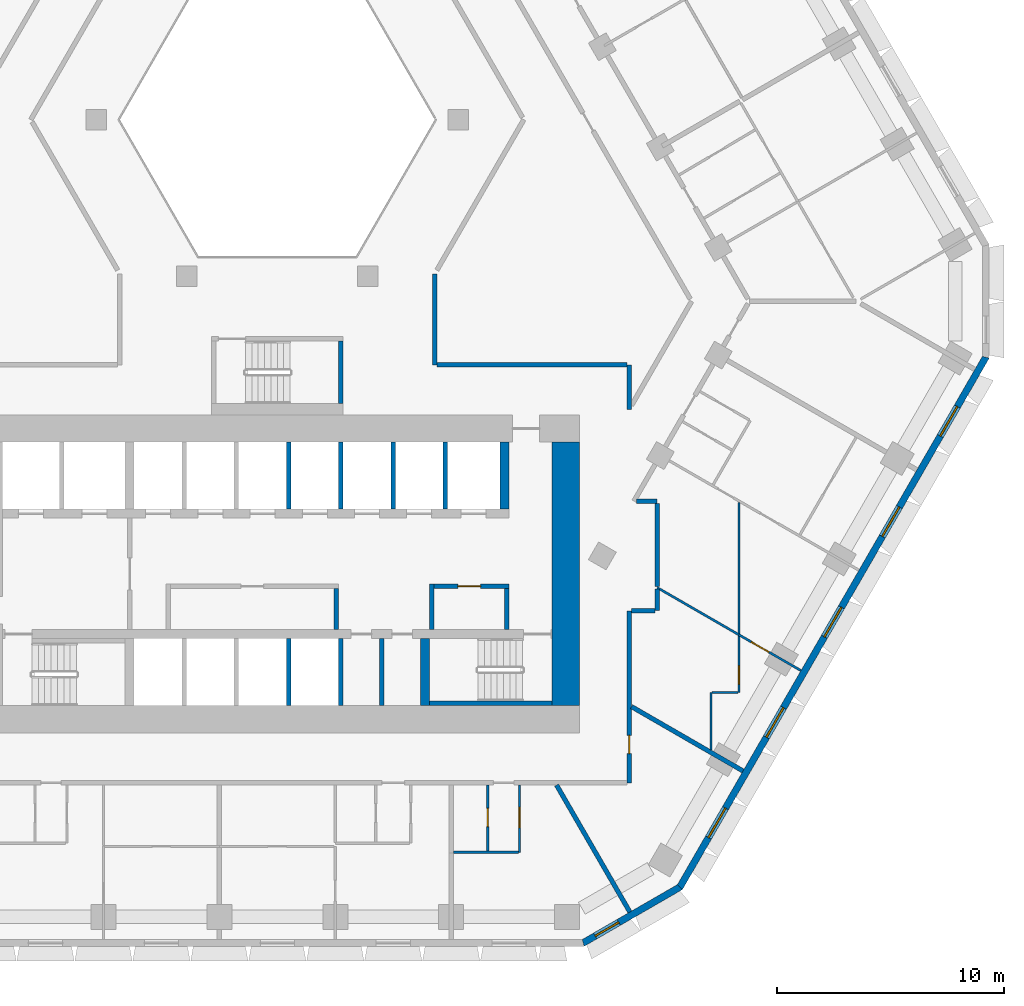
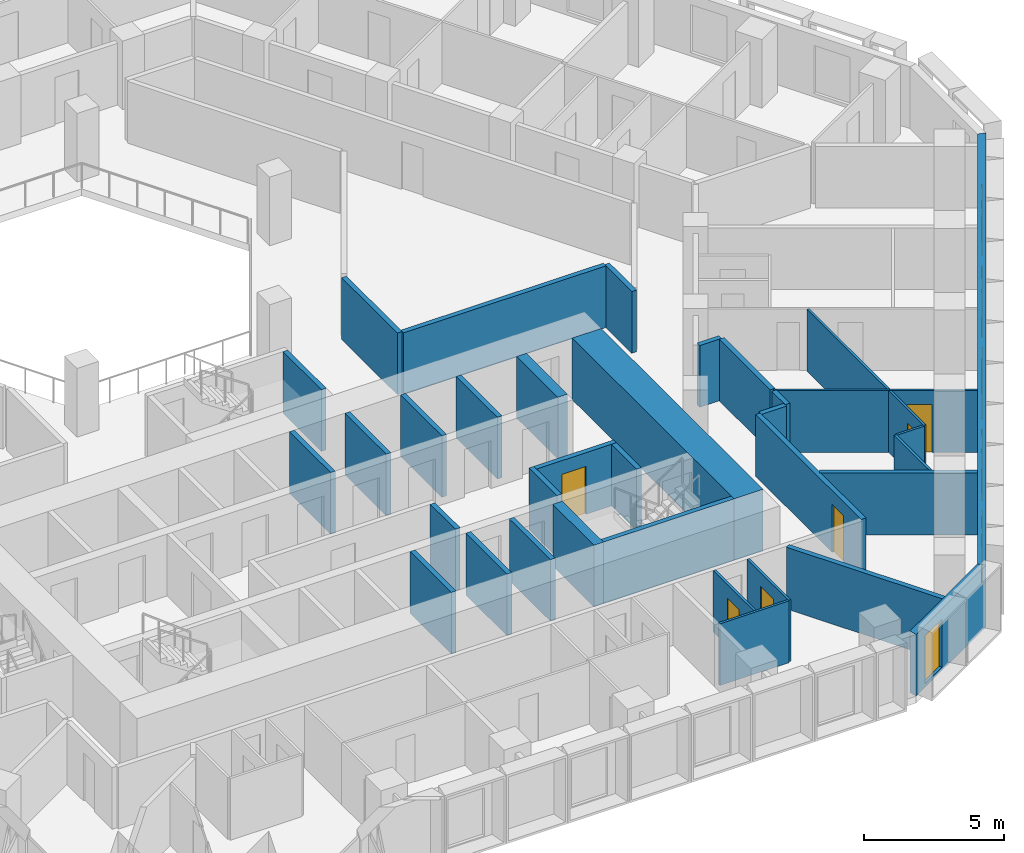
# One storey, part 6 of 16: 36 walls, 6 doors, 6 windows, 12 openings.
"""IFC4 building model written with IfcOpenShell, lengths in metres."""

from ifc_helpers import new_model, si_unit, direction, frame, frame_2d, origin, place, context, subcontext, project, spatial, polyline, rectangle, outline, extrude, material, layer, layer_set, type_object, element, fill, save


model = new_model("IFC4")

# Units and contexts
model_context = context("Model", 3, precision=1e-05, world=origin(), true_north=direction((0.0, 1.0)))
body_context = subcontext(model_context, "Body", "Model", "MODEL_VIEW")
ifc_project = project(units=[si_unit("LENGTHUNIT", "METRE"), si_unit("AREAUNIT", "SQUARE_METRE"), si_unit("VOLUMEUNIT", "CUBIC_METRE"), si_unit("PLANEANGLEUNIT", "RADIAN"), si_unit("MASSUNIT", "GRAM", prefix="KILO")], contexts=[model_context])

# Site, building, storey
site_placement = place(None, origin())
site = spatial("IfcSite", under=ifc_project, at=site_placement, CompositionType="ELEMENT")
building_placement = place(site_placement, origin())
building = spatial("IfcBuilding", under=site, at=building_placement, Name="Beryl Residences", CompositionType="ELEMENT")
storey_placement = place(building_placement, frame((0.0, 0.0, 50.39990234375)))
storey = spatial("IfcBuildingStorey", under=building, at=storey_placement, Name="L15", CompositionType="ELEMENT", Elevation=50.39990234375)

# Wall, opening, window
ifc_material_1 = material(Name="Composite metal panel with mineral wool insulation")
ifc_layer_1 = layer(ifc_material_1, 0.300048828125)
ifc_layer_set_1 = layer_set([ifc_layer_1], Name="ES1 pale metal composite panel wall 300 mm")
wall_type_1 = type_object("IfcWallType", Name="ES1 pale metal composite panel wall 300 mm", PredefinedType="SOLIDWALL", material=ifc_layer_set_1)
wall_1_placement = place(storey_placement, frame((13.43505859375, -28.27001953125, 0.0), z_axis=(0.0, 0.0, 1.0), x_axis=(0.866010750942, 0.50002537861, 0.0)))
wall_1 = element("IfcWall", 1, at=wall_1_placement, inside=storey, type_object=wall_type_1, Name="ES1 external wall L15 S-SE", PredefinedType="SOLIDWALL", context=body_context, shape_type="SweptSolid", body=[
    extrude(outline(polyline([(0.0, -0.14990234375), (4.999755859375, -0.14990234375), (4.91943359375, 0.14990234375), (0.080322265625, 0.14990234375), (0.0, -0.14990234375)])), origin(), (0.0, 0.0, 1.0), 2.7001953125),
])
opening_1_placement = place(wall_1_placement, frame((0.64990234375, 0.0, 0.14990234375)))
opening_1 = element("IfcOpeningElement", 2, at=opening_1_placement, cuts=wall_1, Name="Opening W2", PredefinedType="OPENING", context=body_context, shape_type="SweptSolid", body=[
    extrude(rectangle(XDim=1.199951171875, YDim=2.10009765625, at=frame_2d((0.60009765625, 1.050048828125))), frame((0.0, 0.159912109375, 0.0), z_axis=(0.0, -1.0, 0.0), x_axis=(1.0, 0.0, 0.0)), (0.0, 0.0, 1.0), 0.320068359375),
])
ifc_material_2 = material(Name="Aluminium and clear glass", Category="aluminium")
window_type_1 = type_object("IfcWindowType", Name="W2 chamfer window 1200 x 2100 mm", PartitioningType="SINGLE_PANEL", PredefinedType="WINDOW", material=ifc_material_2)
window_1_placement = place(opening_1_placement, origin())
window_1 = element("IfcWindow", 3, at=window_1_placement, inside=storey, type_object=window_type_1, Name="W2 window L15 S-SE 1", OverallHeight=2.10009765625, OverallWidth=1.199951171875, PartitioningType="SINGLE_PANEL", PredefinedType="WINDOW", context=body_context, shape_type="SweptSolid", body=[
    extrude(rectangle(XDim=1.199951171875, YDim=2.10009765625, at=frame_2d((0.60009765625, 1.050048828125))), frame((0.0, 0.030029296875, 0.0), z_axis=(0.0, -1.0, 0.0), x_axis=(1.0, 0.0, 0.0)), (0.0, 0.0, 1.0), 0.06005859375),
])
fill(opening_1, window_1)

# Wall, openings, windows
wall_2_placement = place(storey_placement, frame((17.7099609375, -25.824951171875, 0.0), z_axis=(0.0, 0.0, 1.0), x_axis=(0.500001938803, 0.866024284413, 0.0)))
wall_2 = element("IfcWall", 4, at=wall_2_placement, inside=storey, type_object=wall_type_1, Name="ES1 external wall L15 SE", PredefinedType="SOLIDWALL", context=body_context, shape_type="SweptSolid", body=[
    extrude(outline(polyline([(0.0, -0.14990234375), (27.02001953125, -0.14990234375), (26.939697265625, 0.14990234375), (0.080322265625, 0.14990234375), (0.0, -0.14990234375)])), origin(), (0.0, 0.0, 1.0), 2.7001953125),
])
opening_2_placement = place(wall_2_placement, frame((2.552978515625, 0.0, 0.14990234375)))
opening_2 = element("IfcOpeningElement", 5, at=opening_2_placement, cuts=wall_2, Name="Opening W1", PredefinedType="OPENING", context=body_context, shape_type="SweptSolid", body=[
    extrude(rectangle(XDim=1.5, YDim=2.10009765625, at=frame_2d((0.75, 1.050048828125))), frame((0.0, 0.159912109375, 0.0), z_axis=(0.0, -1.0, 0.0), x_axis=(1.0, 0.0, 0.0)), (0.0, 0.0, 1.0), 0.320068359375),
])
opening_3_placement = place(wall_2_placement, frame((7.657958984375, 0.0, 0.14990234375)))
opening_3 = element("IfcOpeningElement", 6, at=opening_3_placement, cuts=wall_2, Name="Opening W1", PredefinedType="OPENING", context=body_context, shape_type="SweptSolid", body=[
    extrude(rectangle(XDim=1.5, YDim=2.10009765625, at=frame_2d((0.75, 1.050048828125))), frame((0.0, 0.159912109375, 0.0), z_axis=(0.0, -1.0, 0.0), x_axis=(1.0, 0.0, 0.0)), (0.0, 0.0, 1.0), 0.320068359375),
])
opening_4_placement = place(wall_2_placement, frame((12.760986328125, 0.0, 0.14990234375)))
opening_4 = element("IfcOpeningElement", 7, at=opening_4_placement, cuts=wall_2, Name="Opening W1", PredefinedType="OPENING", context=body_context, shape_type="SweptSolid", body=[
    extrude(rectangle(XDim=1.5, YDim=2.10009765625, at=frame_2d((0.75, 1.050048828125))), frame((0.0, 0.159912109375, 0.0), z_axis=(0.0, -1.0, 0.0), x_axis=(1.0, 0.0, 0.0)), (0.0, 0.0, 1.0), 0.320068359375),
])
opening_5_placement = place(wall_2_placement, frame((17.864990234375, 0.0, 0.14990234375)))
opening_5 = element("IfcOpeningElement", 8, at=opening_5_placement, cuts=wall_2, Name="Opening W1", PredefinedType="OPENING", context=body_context, shape_type="SweptSolid", body=[
    extrude(rectangle(XDim=1.5, YDim=2.10009765625, at=frame_2d((0.75, 1.050048828125))), frame((0.0, 0.159912109375, 0.0), z_axis=(0.0, -1.0, 0.0), x_axis=(1.0, 0.0, 0.0)), (0.0, 0.0, 1.0), 0.320068359375),
])
opening_6_placement = place(wall_2_placement, frame((22.968994140625, 0.0, 0.14990234375)))
opening_6 = element("IfcOpeningElement", 9, at=opening_6_placement, cuts=wall_2, Name="Opening W1", PredefinedType="OPENING", context=body_context, shape_type="SweptSolid", body=[
    extrude(rectangle(XDim=1.5, YDim=2.10009765625, at=frame_2d((0.75, 1.050048828125))), frame((0.0, 0.159912109375, 0.0), z_axis=(0.0, -1.0, 0.0), x_axis=(1.0, 0.0, 0.0)), (0.0, 0.0, 1.0), 0.320068359375),
])
ifc_material_3 = material(Name="Aluminium and clear glass", Category="aluminium")
window_type_2 = type_object("IfcWindowType", Name="W1 cell window 1500 x 2100 mm", PartitioningType="SINGLE_PANEL", PredefinedType="WINDOW", material=ifc_material_3)
window_2_placement = place(opening_2_placement, origin())
window_2 = element("IfcWindow", 10, at=window_2_placement, inside=storey, type_object=window_type_2, Name="W1 window L15 SE 2", OverallHeight=2.10009765625, OverallWidth=1.5, PartitioningType="SINGLE_PANEL", PredefinedType="WINDOW", context=body_context, shape_type="SweptSolid", body=[
    extrude(rectangle(XDim=1.5, YDim=2.10009765625, at=frame_2d((0.75, 1.050048828125))), frame((0.0, 0.030029296875, 0.0), z_axis=(0.0, -1.0, 0.0), x_axis=(1.0, 0.0, 0.0)), (0.0, 0.0, 1.0), 0.06005859375),
])
fill(opening_2, window_2)
window_3_placement = place(opening_3_placement, origin())
window_3 = element("IfcWindow", 11, at=window_3_placement, inside=storey, type_object=window_type_2, Name="W1 window L15 SE 4", OverallHeight=2.10009765625, OverallWidth=1.5, PartitioningType="SINGLE_PANEL", PredefinedType="WINDOW", context=body_context, shape_type="SweptSolid", body=[
    extrude(rectangle(XDim=1.5, YDim=2.10009765625, at=frame_2d((0.75, 1.050048828125))), frame((0.0, 0.030029296875, 0.0), z_axis=(0.0, -1.0, 0.0), x_axis=(1.0, 0.0, 0.0)), (0.0, 0.0, 1.0), 0.06005859375),
])
fill(opening_3, window_3)
window_4_placement = place(opening_4_placement, origin())
window_4 = element("IfcWindow", 12, at=window_4_placement, inside=storey, type_object=window_type_2, Name="W1 window L15 SE 6", OverallHeight=2.10009765625, OverallWidth=1.5, PartitioningType="SINGLE_PANEL", PredefinedType="WINDOW", context=body_context, shape_type="SweptSolid", body=[
    extrude(rectangle(XDim=1.5, YDim=2.10009765625, at=frame_2d((0.75, 1.050048828125))), frame((0.0, 0.030029296875, 0.0), z_axis=(0.0, -1.0, 0.0), x_axis=(1.0, 0.0, 0.0)), (0.0, 0.0, 1.0), 0.06005859375),
])
fill(opening_4, window_4)
window_5_placement = place(opening_5_placement, origin())
window_5 = element("IfcWindow", 13, at=window_5_placement, inside=storey, type_object=window_type_2, Name="W1 window L15 SE 8", OverallHeight=2.10009765625, OverallWidth=1.5, PartitioningType="SINGLE_PANEL", PredefinedType="WINDOW", context=body_context, shape_type="SweptSolid", body=[
    extrude(rectangle(XDim=1.5, YDim=2.10009765625, at=frame_2d((0.75, 1.050048828125))), frame((0.0, 0.030029296875, 0.0), z_axis=(0.0, -1.0, 0.0), x_axis=(1.0, 0.0, 0.0)), (0.0, 0.0, 1.0), 0.06005859375),
])
fill(opening_5, window_5)
window_6_placement = place(opening_6_placement, origin())
window_6 = element("IfcWindow", 14, at=window_6_placement, inside=storey, type_object=window_type_2, Name="W1 window L15 SE 10", OverallHeight=2.10009765625, OverallWidth=1.5, PartitioningType="SINGLE_PANEL", PredefinedType="WINDOW", context=body_context, shape_type="SweptSolid", body=[
    extrude(rectangle(XDim=1.5, YDim=2.10009765625, at=frame_2d((0.75, 1.050048828125))), frame((0.0, 0.030029296875, 0.0), z_axis=(0.0, -1.0, 0.0), x_axis=(1.0, 0.0, 0.0)), (0.0, 0.0, 1.0), 0.06005859375),
])
fill(opening_6, window_6)

# Walls
ifc_material_4 = material(Name="Gypsum board partition on steel studs", Category="steel")
ifc_layer_2 = layer(ifc_material_4, 0.10009765625)
ifc_layer_set_2 = layer_set([ifc_layer_2], Name="PT1 partition 100 mm gypsum board on steel studs")
wall_type_2 = type_object("IfcWallType", Name="PT1 partition 100 mm gypsum board on steel studs", PredefinedType="PARTITIONING", material=ifc_layer_set_2)
wall_3_placement = place(storey_placement, frame((16.72802734375, -12.60302734375, 0.0), z_axis=(0.0, 0.0, 1.0), x_axis=(0.865975293465, -0.500086783578, 0.0)))
element("IfcWall", 15, at=wall_3_placement, inside=storey, type_object=wall_type_2, Name="Wall PT1 L15 016", PredefinedType="PARTITIONING", context=body_context, shape_type="SweptSolid", body=[
    extrude(rectangle(XDim=4.156982421875, YDim=0.10009765625, at=frame_2d((2.07861328125, 0.0))), origin(), (0.0, 0.0, 1.0), 2.7001953125),
])
wall_4_placement = place(storey_placement, frame((19.14990234375, -17.22412109375, 0.0), z_axis=(0.0, 0.0, 1.0), x_axis=(1.0, 0.0, 0.0)))
element("IfcWall", 16, at=wall_4_placement, inside=storey, type_object=wall_type_2, Name="Wall PT1 L15 027", PredefinedType="PARTITIONING", context=body_context, shape_type="SweptSolid", body=[
    extrude(rectangle(XDim=1.127197265625, YDim=0.10009765625, at=frame_2d((0.5634765625, 0.0))), origin(), (0.0, 0.0, 1.0), 2.7001953125),
])
wall_5_placement = place(storey_placement, frame((7.757080078125, -24.260009765625, 0.0), z_axis=(0.0, 0.0, 1.0), x_axis=(1.0, 0.0, 0.0)))
element("IfcWall", 17, at=wall_5_placement, inside=storey, type_object=wall_type_2, Name="Wall PT1 L15 031", PredefinedType="PARTITIONING", context=body_context, shape_type="SweptSolid", body=[
    extrude(rectangle(XDim=2.85791015625, YDim=0.10009765625, at=frame_2d((1.428955078125, 0.0))), origin(), (0.0, 0.0, 1.0), 2.7001953125),
])

# Wall, opening, door
wall_6_placement = place(storey_placement, frame((9.26611328125, -24.2099609375, 0.0), z_axis=(0.0, 0.0, 1.0), x_axis=(0.0, 1.0, 0.0)))
wall_6 = element("IfcWall", 18, at=wall_6_placement, inside=storey, type_object=wall_type_2, Name="Wall PT1 L15 044", PredefinedType="PARTITIONING", context=body_context, shape_type="SweptSolid", body=[
    extrude(rectangle(XDim=2.909912109375, YDim=0.10009765625, at=frame_2d((1.455078125, 0.0))), origin(), (0.0, 0.0, 1.0), 2.7001953125),
])
opening_7_placement = place(wall_6_placement, frame((1.080078125, 0.0, 0.0)))
opening_7 = element("IfcOpeningElement", 19, at=opening_7_placement, cuts=wall_6, Name="Opening D0534", PredefinedType="OPENING", context=body_context, shape_type="SweptSolid", body=[
    extrude(rectangle(XDim=0.800048828125, YDim=2.10009765625, at=frame_2d((0.39990234375, 1.050048828125))), frame((0.0, 0.06005859375, 0.0), z_axis=(0.0, -1.0, 0.0), x_axis=(1.0, 0.0, 0.0)), (0.0, 0.0, 1.0), 0.1201171875),
])
ifc_material_5 = material(Name="Timber door leaf", Category="wood")
door_type_1 = type_object("IfcDoorType", Name="D3 bathroom door 800 x 2100 mm", OperationType="SINGLE_SWING_LEFT", PredefinedType="DOOR", material=ifc_material_5)
door_1_placement = place(opening_7_placement, origin())
door_1 = element("IfcDoor", 20, at=door_1_placement, inside=storey, type_object=door_type_1, Name="Door D0534 L15 001", OperationType="SINGLE_SWING_RIGHT", OverallHeight=2.10009765625, OverallWidth=0.800048828125, PredefinedType="DOOR", context=body_context, shape_type="SweptSolid", body=[
    extrude(rectangle(XDim=0.800048828125, YDim=2.10009765625, at=frame_2d((0.39990234375, 1.050048828125))), frame((0.0, 0.02490234375, 0.0), z_axis=(0.0, -1.0, 0.0), x_axis=(1.0, 0.0, 0.0)), (0.0, 0.0, 1.0), 0.050048828125),
])
fill(opening_7, door_1)

wall_7_placement = place(storey_placement, frame((10.666015625, -24.259033203125, 0.0), z_axis=(0.0, 0.0, 1.0), x_axis=(0.0, 1.0, 0.0)))
wall_7 = element("IfcWall", 21, at=wall_7_placement, inside=storey, type_object=wall_type_2, Name="Wall PT1 L15 045", PredefinedType="PARTITIONING", context=body_context, shape_type="SweptSolid", body=[
    extrude(rectangle(XDim=2.958984375, YDim=0.10009765625, at=frame_2d((1.4794921875, 0.0))), origin(), (0.0, 0.0, 1.0), 2.7001953125),
])
opening_8_placement = place(wall_7_placement, frame((1.0791015625, 0.0, 0.0)))
opening_8 = element("IfcOpeningElement", 22, at=opening_8_placement, cuts=wall_7, Name="Opening D0533", PredefinedType="OPENING", context=body_context, shape_type="SweptSolid", body=[
    extrude(rectangle(XDim=0.89990234375, YDim=2.10009765625, at=frame_2d((0.449951171875, 1.050048828125))), frame((0.0, 0.06005859375, 0.0), z_axis=(0.0, -1.0, 0.0), x_axis=(1.0, 0.0, 0.0)), (0.0, 0.0, 1.0), 0.1201171875),
])
ifc_material_6 = material(Name="Timber door leaf", Category="wood")
door_type_2 = type_object("IfcDoorType", Name="D2 room door 900 x 2100 mm", OperationType="SINGLE_SWING_LEFT", PredefinedType="DOOR", material=ifc_material_6)
door_2_placement = place(opening_8_placement, origin())
door_2 = element("IfcDoor", 23, at=door_2_placement, inside=storey, type_object=door_type_2, Name="Door D0533 L15 001", OperationType="SINGLE_SWING_LEFT", OverallHeight=2.10009765625, OverallWidth=0.89990234375, PredefinedType="DOOR", context=body_context, shape_type="SweptSolid", body=[
    extrude(rectangle(XDim=0.89990234375, YDim=2.10009765625, at=frame_2d((0.449951171875, 1.050048828125))), frame((0.0, 0.02490234375, 0.0), z_axis=(0.0, -1.0, 0.0), x_axis=(1.0, 0.0, 0.0)), (0.0, 0.0, 1.0), 0.050048828125),
])
fill(opening_8, door_2)

# Wall
wall_8_placement = place(storey_placement, frame((19.10009765625, -19.7509765625, 0.0), z_axis=(0.0, 0.0, 1.0), x_axis=(0.0, 1.0, 0.0)))
element("IfcWall", 24, at=wall_8_placement, inside=storey, type_object=wall_type_2, Name="Wall PT1 L15 046", PredefinedType="PARTITIONING", context=body_context, shape_type="SweptSolid", body=[
    extrude(rectangle(XDim=2.52685546875, YDim=0.10009765625, at=frame_2d((1.263427734375, 0.0))), origin(), (0.0, 0.0, 1.0), 2.7001953125),
])

# Wall, opening, door
wall_9_placement = place(storey_placement, frame((20.327880859375, -17.222900390625, 0.0), z_axis=(0.0, 0.0, 1.0), x_axis=(0.0, 1.0, 0.0)))
wall_9 = element("IfcWall", 25, at=wall_9_placement, inside=storey, type_object=wall_type_2, Name="Wall PT1 L15 047", PredefinedType="PARTITIONING", context=body_context, shape_type="SweptSolid", body=[
    extrude(rectangle(XDim=8.3759765625, YDim=0.10009765625, at=frame_2d((4.18798828125, 0.0))), origin(), (0.0, 0.0, 1.0), 2.7001953125),
])
opening_9_placement = place(wall_9_placement, frame((0.3701171875, 0.0, 0.0)))
opening_9 = element("IfcOpeningElement", 26, at=opening_9_placement, cuts=wall_9, Name="Opening D0543", PredefinedType="OPENING", context=body_context, shape_type="SweptSolid", body=[
    extrude(rectangle(XDim=0.800048828125, YDim=2.10009765625, at=frame_2d((0.39990234375, 1.050048828125))), frame((0.0, 0.06005859375, 0.0), z_axis=(0.0, -1.0, 0.0), x_axis=(1.0, 0.0, 0.0)), (0.0, 0.0, 1.0), 0.1201171875),
])
door_3_placement = place(opening_9_placement, origin())
door_3 = element("IfcDoor", 27, at=door_3_placement, inside=storey, type_object=door_type_1, Name="Door D0543 L15 001", OperationType="SINGLE_SWING_LEFT", OverallHeight=2.10009765625, OverallWidth=0.800048828125, PredefinedType="DOOR", context=body_context, shape_type="SweptSolid", body=[
    extrude(rectangle(XDim=0.800048828125, YDim=2.10009765625, at=frame_2d((0.39990234375, 1.050048828125))), frame((0.0, 0.02490234375, 0.0), z_axis=(0.0, -1.0, 0.0), x_axis=(1.0, 0.0, 0.0)), (0.0, 0.0, 1.0), 0.050048828125),
])
fill(opening_9, door_3)

wall_10_placement = place(storey_placement, frame((20.327880859375, -14.681884765625, 0.0), z_axis=(0.0, 0.0, 1.0), x_axis=(0.866063163075, -0.499934593286, 0.0)))
wall_10 = element("IfcWall", 28, at=wall_10_placement, inside=storey, type_object=wall_type_2, Name="Wall PT1 L15 072", PredefinedType="PARTITIONING", context=body_context, shape_type="SweptSolid", body=[
    extrude(rectangle(XDim=3.15478515625, YDim=0.10009765625, at=frame_2d((1.577392578125, 0.0))), origin(), (0.0, 0.0, 1.0), 2.7001953125),
])
opening_10_placement = place(wall_10_placement, frame((0.626953125, 0.0, 0.0)))
opening_10 = element("IfcOpeningElement", 29, at=opening_10_placement, cuts=wall_10, Name="Opening D0542", PredefinedType="OPENING", context=body_context, shape_type="SweptSolid", body=[
    extrude(rectangle(XDim=0.89990234375, YDim=2.10009765625, at=frame_2d((0.449951171875, 1.050048828125))), frame((0.0, 0.06005859375, 0.0), z_axis=(0.0, -1.0, 0.0), x_axis=(1.0, 0.0, 0.0)), (0.0, 0.0, 1.0), 0.1201171875),
])
door_4_placement = place(opening_10_placement, origin())
door_4 = element("IfcDoor", 30, at=door_4_placement, inside=storey, type_object=door_type_2, Name="Door D0542 L15 001", OperationType="SINGLE_SWING_RIGHT", OverallHeight=2.10009765625, OverallWidth=0.89990234375, PredefinedType="DOOR", context=body_context, shape_type="SweptSolid", body=[
    extrude(rectangle(XDim=0.89990234375, YDim=2.10009765625, at=frame_2d((0.449951171875, 1.050048828125))), frame((0.0, 0.02490234375, 0.0), z_axis=(0.0, -1.0, 0.0), x_axis=(1.0, 0.0, 0.0)), (0.0, 0.0, 1.0), 0.050048828125),
])
fill(opening_10, door_4)

# Walls
ifc_material_7 = material(Name="Concrete masonry", Category="masonry")
ifc_layer_3 = layer(ifc_material_7, 0.199951171875)
ifc_layer_set_3 = layer_set([ifc_layer_3], Name="PT13 lobby wall 200 mm")
wall_type_3 = type_object("IfcWallType", Name="PT13 lobby wall 200 mm", PredefinedType="PARTITIONING", material=ifc_layer_set_3)
wall_11_placement = place(storey_placement, frame((2.60009765625, -14.449951171875, 0.0), z_axis=(0.0, 0.0, 1.0), x_axis=(0.0, 1.0, 0.0)))
element("IfcWall", 31, at=wall_11_placement, inside=storey, type_object=wall_type_3, Name="Lobby wall 15", PredefinedType="PARTITIONING", context=body_context, shape_type="SweptSolid", body=[
    extrude(rectangle(XDim=1.800048828125, YDim=0.199951171875, at=frame_2d((0.89990234375, 0.0))), origin(), (0.0, 0.0, 1.0), 2.7001953125),
])
wall_12_placement = place(storey_placement, frame((6.800048828125, -14.449951171875, 0.0), z_axis=(0.0, 0.0, 1.0), x_axis=(0.0, 1.0, 0.0)))
element("IfcWall", 32, at=wall_12_placement, inside=storey, type_object=wall_type_3, Name="Lobby wall 21", PredefinedType="PARTITIONING", context=body_context, shape_type="SweptSolid", body=[
    extrude(rectangle(XDim=2.0, YDim=0.199951171875, at=frame_2d((1.0, 0.0))), origin(), (0.0, 0.0, 1.0), 2.7001953125),
])

# Wall, opening, door
wall_13_placement = place(storey_placement, frame((6.89990234375, -12.550048828125, 0.0), z_axis=(0.0, 0.0, 1.0), x_axis=(1.0, 0.0, 0.0)))
wall_13 = element("IfcWall", 33, at=wall_13_placement, inside=storey, type_object=wall_type_3, Name="Lobby wall 22", PredefinedType="PARTITIONING", context=body_context, shape_type="SweptSolid", body=[
    extrude(rectangle(XDim=3.300048828125, YDim=0.199951171875, at=frame_2d((1.64990234375, 0.0))), origin(), (0.0, 0.0, 1.0), 2.7001953125),
])
opening_11_placement = place(wall_13_placement, frame((2.050048828125, 0.0, 0.0), z_axis=(0.0, 0.0, 1.0), x_axis=(-1.0, 0.0, 0.0)))
opening_11 = element("IfcOpeningElement", 34, at=opening_11_placement, cuts=wall_13, Name="Opening CD-D-A2", PredefinedType="OPENING", context=body_context, shape_type="SweptSolid", body=[
    extrude(rectangle(XDim=1.0, YDim=2.10009765625, at=frame_2d((0.5, 1.050048828125))), frame((0.0, 0.10986328125, 0.0), z_axis=(0.0, -1.0, 0.0), x_axis=(1.0, 0.0, 0.0)), (0.0, 0.0, 1.0), 0.219970703125),
])
ifc_material_8 = material(Name="Steel door leaf in steel frame", Category="steel")
door_type_3 = type_object("IfcDoorType", Name="D18 service room door 1000 x 2100 mm", OperationType="SINGLE_SWING_LEFT", PredefinedType="DOOR", material=ifc_material_8)
door_5_placement = place(opening_11_placement, origin())
door_5 = element("IfcDoor", 35, at=door_5_placement, inside=storey, type_object=door_type_3, Name="Door CD-D-A2 L15 001", OperationType="SINGLE_SWING_LEFT", OverallHeight=2.10009765625, OverallWidth=1.0, PredefinedType="DOOR", context=body_context, shape_type="SweptSolid", body=[
    extrude(rectangle(XDim=1.0, YDim=2.10009765625, at=frame_2d((0.5, 1.050048828125))), frame((0.0, 0.02490234375, 0.0), z_axis=(0.0, -1.0, 0.0), x_axis=(1.0, 0.0, 0.0)), (0.0, 0.0, 1.0), 0.050048828125),
])
fill(opening_11, door_5)

# Walls
wall_14_placement = place(storey_placement, frame((10.10009765625, -14.449951171875, 0.0), z_axis=(0.0, 0.0, 1.0), x_axis=(0.0, 1.0, 0.0)))
element("IfcWall", 36, at=wall_14_placement, inside=storey, type_object=wall_type_3, Name="Lobby wall 24", PredefinedType="PARTITIONING", context=body_context, shape_type="SweptSolid", body=[
    extrude(rectangle(XDim=1.800048828125, YDim=0.199951171875, at=frame_2d((0.89990234375, 0.0))), origin(), (0.0, 0.0, 1.0), 2.7001953125),
])
ifc_material_9 = material(Name="Acoustic double stud gypsum board wall")
ifc_layer_4 = layer(ifc_material_9, 0.199951171875)
ifc_layer_set_4 = layer_set([ifc_layer_4], Name="PT3 party wall 200 mm acoustic double stud")
wall_type_4 = type_object("IfcWallType", Name="PT3 party wall 200 mm acoustic double stud", PredefinedType="PARTITIONING", material=ifc_layer_set_4)
wall_15_placement = place(storey_placement, frame((12.297119140625, -21.300048828125, 0.0), z_axis=(0.0, 0.0, 1.0), x_axis=(0.500056399578, -0.865992839024, 0.0)))
element("IfcWall", 37, at=wall_15_placement, inside=storey, type_object=wall_type_4, Name="Wall PT3 L15 002", PredefinedType="PARTITIONING", context=body_context, shape_type="SweptSolid", body=[
    extrude(rectangle(XDim=6.454833984375, YDim=0.199951171875, at=frame_2d((3.2275390625, 0.0))), origin(), (0.0, 0.0, 1.0), 2.7001953125),
])
wall_16_placement = place(storey_placement, frame((15.60009765625, -17.845947265625, 0.0), z_axis=(0.0, 0.0, 1.0), x_axis=(0.866071523686, -0.499920109479, 0.0)))
element("IfcWall", 38, at=wall_16_placement, inside=storey, type_object=wall_type_4, Name="Wall PT3 L15 004", PredefinedType="PARTITIONING", context=body_context, shape_type="SweptSolid", body=[
    extrude(rectangle(XDim=5.6669921875, YDim=0.199951171875, at=frame_2d((2.83349609375, 0.0))), origin(), (0.0, 0.0, 1.0), 2.7001953125),
])
ifc_material_10 = material(Name="Double stud gypsum board wall")
ifc_layer_5 = layer(ifc_material_10, 0.199951171875)
ifc_layer_set_5 = layer_set([ifc_layer_5], Name="PT4 corridor wall 200 mm double stud")
wall_type_5 = type_object("IfcWallType", Name="PT4 corridor wall 200 mm double stud", PredefinedType="PARTITIONING", material=ifc_layer_set_5)
wall_17_placement = place(storey_placement, frame((16.72802734375, -8.89501953125, 0.0), z_axis=(0.0, 0.0, 1.0), x_axis=(0.0, -1.0, 0.0)))
element("IfcWall", 39, at=wall_17_placement, inside=storey, type_object=wall_type_5, Name="Wall PT4 L15 009", PredefinedType="PARTITIONING", context=body_context, shape_type="SweptSolid", body=[
    extrude(rectangle(XDim=3.64990234375, YDim=0.199951171875, at=frame_2d((1.824951171875, 0.0))), origin(), (0.0, 0.0, 1.0), 2.7001953125),
])
wall_18_placement = place(storey_placement, frame((15.822021484375, -8.7939453125, 0.0), z_axis=(0.0, 0.0, 1.0), x_axis=(1.0, 0.0, 0.0)))
element("IfcWall", 40, at=wall_18_placement, inside=storey, type_object=wall_type_5, Name="Wall PT4 L15 011", PredefinedType="PARTITIONING", context=body_context, shape_type="SweptSolid", body=[
    extrude(rectangle(XDim=0.905029296875, YDim=0.199951171875, at=frame_2d((0.45263671875, 0.0))), origin(), (0.0, 0.0, 1.0), 2.7001953125),
])
wall_19_placement = place(storey_placement, frame((15.60009765625, -13.6240234375, 0.0), z_axis=(0.0, 0.0, 1.0), x_axis=(1.0, 0.0, 0.0)))
element("IfcWall", 41, at=wall_19_placement, inside=storey, type_object=wall_type_5, Name="Wall PT4 L15 012", PredefinedType="PARTITIONING", context=body_context, shape_type="SweptSolid", body=[
    extrude(rectangle(XDim=1.02685546875, YDim=0.199951171875, at=frame_2d((0.513427734375, 0.0))), origin(), (0.0, 0.0, 1.0), 2.7001953125),
])
wall_20_placement = place(storey_placement, frame((7.028076171875, -2.800048828125, 0.0), z_axis=(0.0, 0.0, 1.0), x_axis=(1.0, 0.0, 0.0)))
element("IfcWall", 42, at=wall_20_placement, inside=storey, type_object=wall_type_5, Name="Wall PT4 L15 016", PredefinedType="PARTITIONING", context=body_context, shape_type="SweptSolid", body=[
    extrude(rectangle(XDim=8.371826171875, YDim=0.199951171875, at=frame_2d((4.18603515625, 0.0))), origin(), (0.0, 0.0, 1.0), 2.7001953125),
])
wall_21_placement = place(storey_placement, frame((6.927978515625, -2.800048828125, 0.0), z_axis=(0.0, 0.0, 1.0), x_axis=(0.0, 1.0, 0.0)))
element("IfcWall", 43, at=wall_21_placement, inside=storey, type_object=wall_type_5, Name="Wall PT4 L15 026", PredefinedType="PARTITIONING", context=body_context, shape_type="SweptSolid", body=[
    extrude(rectangle(XDim=4.0, YDim=0.199951171875, at=frame_2d((2.0, 0.0))), origin(), (0.0, 0.0, 1.0), 2.7001953125),
])

# Wall, opening, door
wall_22_placement = place(storey_placement, frame((15.5, -21.198974609375, 0.0), z_axis=(0.0, 0.0, 1.0), x_axis=(0.0, 1.0, 0.0)))
wall_22 = element("IfcWall", 44, at=wall_22_placement, inside=storey, type_object=wall_type_5, Name="Wall PT4 L15 027", PredefinedType="PARTITIONING", context=body_context, shape_type="SweptSolid", body=[
    extrude(rectangle(XDim=7.574951171875, YDim=0.199951171875, at=frame_2d((3.78759765625, 0.0))), origin(), (0.0, 0.0, 1.0), 2.7001953125),
])
opening_12_placement = place(wall_22_placement, frame((1.2880859375, 0.0, 0.0)))
opening_12 = element("IfcOpeningElement", 45, at=opening_12_placement, cuts=wall_22, Name="Opening D0535", PredefinedType="OPENING", context=body_context, shape_type="SweptSolid", body=[
    extrude(rectangle(XDim=0.800048828125, YDim=2.10009765625, at=frame_2d((0.39990234375, 1.050048828125))), frame((0.0, 0.10986328125, 0.0), z_axis=(0.0, -1.0, 0.0), x_axis=(1.0, 0.0, 0.0)), (0.0, 0.0, 1.0), 0.219970703125),
])
door_6_placement = place(opening_12_placement, origin())
door_6 = element("IfcDoor", 46, at=door_6_placement, inside=storey, type_object=door_type_1, Name="Door D0535 L15 001", OperationType="SINGLE_SWING_LEFT", OverallHeight=2.10009765625, OverallWidth=0.800048828125, PredefinedType="DOOR", context=body_context, shape_type="SweptSolid", body=[
    extrude(rectangle(XDim=0.800048828125, YDim=2.10009765625, at=frame_2d((0.39990234375, 1.050048828125))), frame((0.0, 0.02490234375, 0.0), z_axis=(0.0, -1.0, 0.0), x_axis=(1.0, 0.0, 0.0)), (0.0, 0.0, 1.0), 0.050048828125),
])
fill(opening_12, door_6)

# Walls
wall_23_placement = place(storey_placement, frame((15.5, -4.751953125, 0.0), z_axis=(0.0, 0.0, 1.0), x_axis=(0.0, 1.0, 0.0)))
element("IfcWall", 47, at=wall_23_placement, inside=storey, type_object=wall_type_5, Name="Wall PT4 L15 028", PredefinedType="PARTITIONING", context=body_context, shape_type="SweptSolid", body=[
    extrude(rectangle(XDim=1.951904296875, YDim=0.199951171875, at=frame_2d((0.97607421875, 0.0))), origin(), (0.0, 0.0, 1.0), 2.7001953125),
])
wall_24_placement = place(storey_placement, frame((16.72802734375, -13.623046875, 0.0), z_axis=(0.0, 0.0, 1.0), x_axis=(0.0, 1.0, 0.0)))
element("IfcWall", 48, at=wall_24_placement, inside=storey, type_object=wall_type_5, Name="Wall PT4 L15 029", PredefinedType="PARTITIONING", context=body_context, shape_type="SweptSolid", body=[
    extrude(rectangle(XDim=0.962158203125, YDim=0.199951171875, at=frame_2d((0.48095703125, 0.0))), origin(), (0.0, 0.0, 1.0), 2.7001953125),
])
ifc_material_11 = material(Name="Concrete C40/50", Category="concrete")
ifc_layer_6 = layer(ifc_material_11, 0.199951171875)
ifc_layer_set_6 = layer_set([ifc_layer_6], Name="PT5 stair enclosure wall 200 mm reinforced concrete C40/50")
wall_type_6 = type_object("IfcWallType", Name="PT5 stair enclosure wall 200 mm reinforced concrete C40/50", PredefinedType="SOLIDWALL", material=ifc_layer_set_6)
wall_25_placement = place(storey_placement, frame((2.800048828125, -4.5, 0.0), z_axis=(0.0, 0.0, 1.0), x_axis=(0.0, 1.0, 0.0)))
element("IfcWall", 49, at=wall_25_placement, inside=storey, type_object=wall_type_6, Name="Wall PT5 L15 003", PredefinedType="SOLIDWALL", context=body_context, shape_type="SweptSolid", body=[
    extrude(rectangle(XDim=2.75, YDim=0.199951171875, at=frame_2d((1.375, 0.0))), origin(), (0.0, 0.0, 1.0), 2.7001953125),
])
wall_26_placement = place(storey_placement, frame((6.699951171875, -17.699951171875, 0.0), z_axis=(0.0, 0.0, 1.0), x_axis=(1.0, 0.0, 0.0)))
element("IfcWall", 50, at=wall_26_placement, inside=storey, type_object=wall_type_6, Name="Stair wall 20", PredefinedType="SOLIDWALL", context=body_context, shape_type="SweptSolid", body=[
    extrude(rectangle(XDim=5.400146484375, YDim=0.199951171875, at=frame_2d((2.7001953125, 0.0))), origin(), (0.0, 0.0, 1.0), 2.7001953125),
])
ifc_material_12 = material(Name="Concrete C40/50", Category="concrete")
ifc_layer_7 = layer(ifc_material_12, 0.199951171875)
ifc_layer_set_7 = layer_set([ifc_layer_7], Name="PT6 lift shaft wall 200 mm reinforced concrete C40/50")
wall_type_7 = type_object("IfcWallType", Name="PT6 lift shaft wall 200 mm reinforced concrete C40/50", PredefinedType="SOLIDWALL", material=ifc_layer_set_7)
for number, where, z_axis, x_axis, name in (
    (51, (0.5, -17.800048828125, 0.0), (0.0, 0.0, 1.0), (0.0, 1.0, 0.0), "Lift shaft wall 13"),
    (52, (0.5, -9.14990234375, 0.0), (0.0, 0.0, 1.0), (0.0, 1.0, 0.0), "Lift shaft wall 14"),
    (53, (2.800048828125, -17.800048828125, 0.0), (0.0, 0.0, 1.0), (0.0, 1.0, 0.0), "Lift shaft wall 16"),
    (54, (2.800048828125, -9.14990234375, 0.0), (0.0, 0.0, 1.0), (0.0, 1.0, 0.0), "Lift shaft wall 17"),
    (55, (5.10009765625, -9.14990234375, 0.0), (0.0, 0.0, 1.0), (0.0, 1.0, 0.0), "Lift shaft wall 19"),
    (56, (7.39990234375, -9.14990234375, 0.0), (0.0, 0.0, 1.0), (0.0, 1.0, 0.0), "Lift shaft wall 23"),
):
    element("IfcWall", number, at=place(storey_placement, frame(where, z_axis=z_axis, x_axis=x_axis)), inside=storey, type_object=wall_type_7, Name=name, PredefinedType="SOLIDWALL", context=body_context, shape_type="SweptSolid", body=[
        extrude(rectangle(XDim=2.949951171875, YDim=0.199951171875, at=frame_2d((1.47509765625, 0.0))), origin(), (0.0, 0.0, 1.0), 2.7001953125),
    ])
ifc_material_13 = material(Name="Concrete masonry", Category="masonry")
ifc_layer_8 = layer(ifc_material_13, 0.199951171875)
ifc_layer_set_8 = layer_set([ifc_layer_8], Name="PT8-200 service room wall 200 mm")
wall_type_8 = type_object("IfcWallType", Name="PT8-200 service room wall 200 mm", PredefinedType="PARTITIONING", material=ifc_layer_set_8)
wall_27_placement = place(storey_placement, frame((4.60009765625, -17.800048828125, 0.0), z_axis=(0.0, 0.0, 1.0), x_axis=(0.0, 1.0, 0.0)))
element("IfcWall", 57, at=wall_27_placement, inside=storey, type_object=wall_type_8, Name="Core room wall 18", PredefinedType="PARTITIONING", context=body_context, shape_type="SweptSolid", body=[
    extrude(rectangle(XDim=2.949951171875, YDim=0.199951171875, at=frame_2d((1.47509765625, 0.0))), origin(), (0.0, 0.0, 1.0), 2.7001953125),
])
ifc_material_14 = material(Name="Concrete C80/95", Category="concrete")
ifc_layer_9 = layer(ifc_material_14, 1.199951171875)
ifc_layer_set_9 = layer_set([ifc_layer_9], Name="SW1 core outer wall 1200 mm C80/95")
wall_type_9 = type_object("IfcWallType", Name="SW1 core outer wall 1200 mm C80/95", PredefinedType="SHEAR", material=ifc_layer_set_9)
wall_28_placement = place(storey_placement, frame((12.699951171875, -17.800048828125, 0.0), z_axis=(0.0, 0.0, 1.0), x_axis=(0.0, 1.0, 0.0)))
element("IfcWall", 58, at=wall_28_placement, inside=storey, type_object=wall_type_9, Name="Core wall E L15", PredefinedType="SHEAR", context=body_context, shape_type="SweptSolid", body=[
    extrude(rectangle(XDim=11.60009765625, YDim=1.199951171875, at=frame_2d((5.800048828125, 0.0))), origin(), (0.0, 0.0, 1.0), 2.7001953125),
])
ifc_material_15 = material(Name="Concrete C80/95", Category="concrete")
ifc_layer_10 = layer(ifc_material_15, 0.39990234375)
ifc_layer_set_10 = layer_set([ifc_layer_10], Name="SW6 core internal wall 400 mm C80/95")
wall_type_10 = type_object("IfcWallType", Name="SW6 core internal wall 400 mm C80/95", PredefinedType="SHEAR", material=ifc_layer_set_10)
for number, where, z_axis, x_axis, name in (
    (59, (6.5, -17.800048828125, 0.0), (0.0, 0.0, 1.0), (0.0, 1.0, 0.0), "Core wall XS2 L15"),
    (60, (10.0, -9.14990234375, 0.0), (0.0, 0.0, 1.0), (0.0, 1.0, 0.0), "Core wall XN2 L15"),
):
    element("IfcWall", number, at=place(storey_placement, frame(where, z_axis=z_axis, x_axis=x_axis)), inside=storey, type_object=wall_type_10, Name=name, PredefinedType="SHEAR", context=body_context, shape_type="SweptSolid", body=[
        extrude(rectangle(XDim=2.949951171875, YDim=0.39990234375, at=frame_2d((1.47509765625, 0.0))), origin(), (0.0, 0.0, 1.0), 2.7001953125),
    ])

save(model, "model.ifc")
